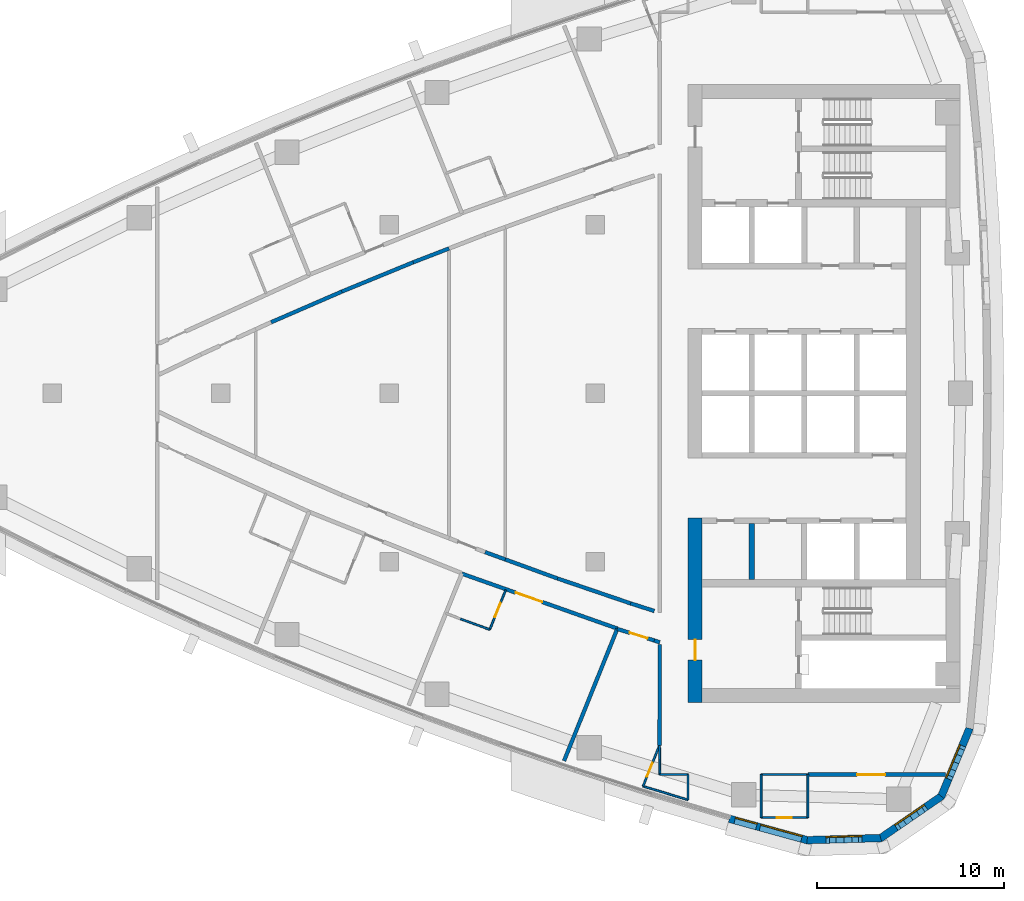
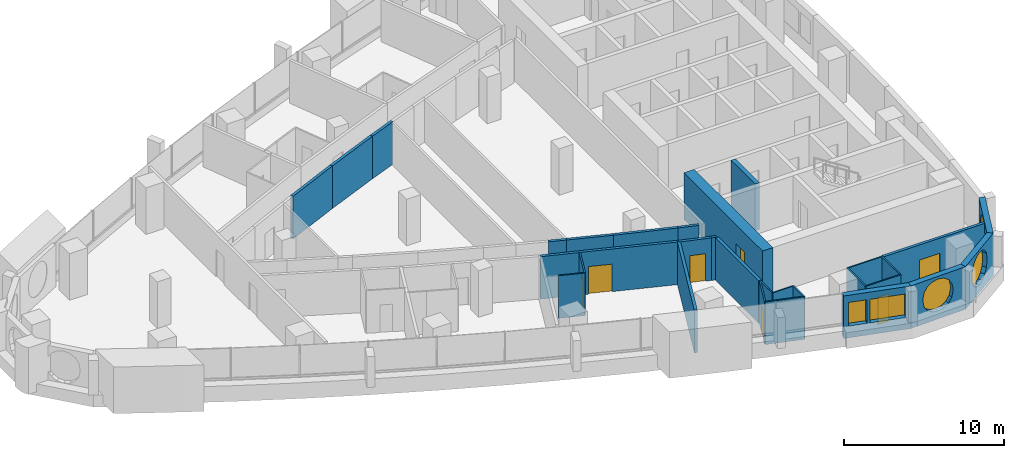
# One storey, part 10 of 17: 30 walls, 7 doors, 5 windows, 12 openings.
"""IFC4 building model written with IfcOpenShell, lengths in metres."""

from ifc_helpers import new_model, si_unit, direction, frame, frame_2d, origin, place, context, subcontext, project, spatial, polyline, rectangle, outline, extrude, material, layer, layer_set, type_object, element, fill, save


model = new_model("IFC4")

# Units and contexts
model_context = context("Model", 3, precision=1e-05, world=origin(), true_north=direction((0.0, 1.0)))
body_context = subcontext(model_context, "Body", "Model", "MODEL_VIEW")
ifc_project = project(units=[si_unit("LENGTHUNIT", "METRE"), si_unit("AREAUNIT", "SQUARE_METRE"), si_unit("VOLUMEUNIT", "CUBIC_METRE"), si_unit("PLANEANGLEUNIT", "RADIAN"), si_unit("MASSUNIT", "GRAM", prefix="KILO")], contexts=[model_context])

# Site, building, storey
site_placement = place(None, origin())
site = spatial("IfcSite", under=ifc_project, at=site_placement, CompositionType="ELEMENT")
building_placement = place(site_placement, origin())
building = spatial("IfcBuilding", under=site, at=building_placement, Name="Ostrand Prow Hotel Tower", CompositionType="ELEMENT")
storey_placement = place(building_placement, frame((0.0, 0.0, 196.800048828125)))
storey = spatial("IfcBuildingStorey", under=building, at=storey_placement, Name="L49", CompositionType="ELEMENT", Elevation=196.800048828125)

# Wall
ifc_material_1 = material(Name="Concrete C60/75", Category="concrete")
ifc_layer_1 = layer(ifc_material_1, 0.300048828125)
ifc_layer_set_1 = layer_set([ifc_layer_1], Name="Concrete C60/75")
wall_type_1 = type_object("IfcWallType", Name="Core wall 300 C60/75", PredefinedType="SHEAR", material=ifc_layer_set_1)
wall_1_placement = place(storey_placement, frame((53.35009765625, -9.949951171875, 0.0), z_axis=(0.0, 0.0, 1.0), x_axis=(0.0, 1.0, 0.0)))
element("IfcWall", 1, at=wall_1_placement, inside=storey, type_object=wall_type_1, Name="Core wall PW-R1-SA", PredefinedType="SHEAR", context=body_context, shape_type="SweptSolid", body=[
    extrude(rectangle(XDim=3.0, YDim=0.300048828125, at=frame_2d((1.5, 0.0))), origin(), (0.0, 0.0, 1.0), 3.550048828125),
])

# Wall, opening, door
ifc_material_2 = material(Name="Concrete C60/75", Category="concrete")
ifc_layer_2 = layer(ifc_material_2, 0.75)
ifc_layer_set_2 = layer_set([ifc_layer_2], Name="Concrete C60/75")
wall_type_2 = type_object("IfcWallType", Name="Core wall 750 C60/75", PredefinedType="SHEAR", material=ifc_layer_set_2)
wall_2_placement = place(storey_placement, frame((50.324951171875, -16.5, 0.0), z_axis=(0.0, 0.0, 1.0), x_axis=(0.0, 1.0, 0.0)))
wall_2 = element("IfcWall", 2, at=wall_2_placement, inside=storey, type_object=wall_type_2, Name="Core wall CW-W-S", PredefinedType="SHEAR", context=body_context, shape_type="SweptSolid", body=[
    extrude(rectangle(XDim=9.85009765625, YDim=0.75, at=frame_2d((4.925048828125, 0.0))), origin(), (0.0, 0.0, 1.0), 3.550048828125),
])
opening_1_placement = place(wall_2_placement, frame((2.25, 0.0, 0.0)))
opening_1 = element("IfcOpeningElement", 3, at=opening_1_placement, cuts=wall_2, Name="Opening FD1", PredefinedType="OPENING", context=body_context, shape_type="SweptSolid", body=[
    extrude(rectangle(XDim=1.10009765625, YDim=2.10009765625, at=frame_2d((0.550048828125, 1.050048828125))), frame((0.0, 0.385009765625, 0.0), z_axis=(0.0, -1.0, 0.0), x_axis=(1.0, 0.0, 0.0)), (0.0, 0.0, 1.0), 0.77001953125),
])
ifc_material_3 = material(Name="Steel fire door", Category="steel")
door_type_1 = type_object("IfcDoorType", Name="Fire door 1100 EI120", OperationType="SINGLE_SWING_RIGHT", PredefinedType="DOOR", material=ifc_material_3)
door_1_placement = place(opening_1_placement, origin())
door_1 = element("IfcDoor", 4, at=door_1_placement, inside=storey, type_object=door_type_1, Name="FIRE DOOR", OperationType="SINGLE_SWING_RIGHT", OverallHeight=2.10009765625, OverallWidth=1.10009765625, PredefinedType="DOOR", context=body_context, shape_type="SweptSolid", body=[
    extrude(rectangle(XDim=1.10009765625, YDim=2.10009765625, at=frame_2d((0.550048828125, 1.050048828125))), frame((0.0, 0.02490234375, 0.0), z_axis=(0.0, -1.0, 0.0), x_axis=(1.0, 0.0, 0.0)), (0.0, 0.0, 1.0), 0.050048828125),
])
fill(opening_1, door_1)

ifc_material_4 = material(Name="Plasterboard partition")
ifc_layer_3 = layer(ifc_material_4, 0.10009765625)
ifc_layer_set_3 = layer_set([ifc_layer_3], Name="Plasterboard partition")
wall_type_3 = type_object("IfcWallType", Name="Partition 100 bathroom wall", PredefinedType="PARTITIONING", material=ifc_layer_set_3)
wall_3_placement = place(storey_placement, frame((56.35009765625, -22.64990234375, 0.0), z_axis=(0.0, 0.0, 1.0), x_axis=(-1.0, 0.0, 0.0)))
wall_3 = element("IfcWall", 5, at=wall_3_placement, inside=storey, type_object=wall_type_3, Name="BATHROOM WALL", PredefinedType="PARTITIONING", context=body_context, shape_type="SweptSolid", body=[
    extrude(rectangle(XDim=2.5, YDim=0.10009765625, at=frame_2d((1.25, 0.0))), origin(), (0.0, 0.0, 1.0), 3.25),
])
opening_2_placement = place(wall_3_placement, frame((0.85009765625, 0.0, 0.0)))
opening_2 = element("IfcOpeningElement", 6, at=opening_2_placement, cuts=wall_3, Name="Opening D2", PredefinedType="OPENING", context=body_context, shape_type="SweptSolid", body=[
    extrude(rectangle(XDim=0.800048828125, YDim=2.10009765625, at=frame_2d((0.39990234375, 1.050048828125))), frame((0.0, 0.06005859375, 0.0), z_axis=(0.0, -1.0, 0.0), x_axis=(1.0, 0.0, 0.0)), (0.0, 0.0, 1.0), 0.1201171875),
])
ifc_material_5 = material(Name="Timber door leaf", Category="wood")
door_type_2 = type_object("IfcDoorType", Name="Bathroom door 800", OperationType="SINGLE_SWING_LEFT", PredefinedType="DOOR", material=ifc_material_5)
door_2_placement = place(opening_2_placement, origin())
door_2 = element("IfcDoor", 7, at=door_2_placement, inside=storey, type_object=door_type_2, Name="DOOR", OperationType="SINGLE_SWING_LEFT", OverallHeight=2.10009765625, OverallWidth=0.800048828125, PredefinedType="DOOR", context=body_context, shape_type="SweptSolid", body=[
    extrude(rectangle(XDim=0.800048828125, YDim=2.10009765625, at=frame_2d((0.39990234375, 1.050048828125))), frame((0.0, 0.02490234375, 0.0), z_axis=(0.0, -1.0, 0.0), x_axis=(1.0, 0.0, 0.0)), (0.0, 0.0, 1.0), 0.050048828125),
])
fill(opening_2, door_2)

# Walls
for number, where, z_axis, x_axis, name in (
    (8, (53.85009765625, -22.64990234375, 0.0), (0.0, 0.0, 1.0), (0.0, 1.0, 0.0), "BATHROOM WALL"),
    (9, (56.35009765625, -20.35009765625, 0.0), (0.0, 0.0, 1.0), (0.0, -1.0, 0.0), "BATHROOM WALL"),
):
    element("IfcWall", number, at=place(storey_placement, frame(where, z_axis=z_axis, x_axis=x_axis)), inside=storey, type_object=wall_type_3, Name=name, PredefinedType="PARTITIONING", context=body_context, shape_type="SweptSolid", body=[
        extrude(rectangle(XDim=2.2998046875, YDim=0.10009765625, at=frame_2d((1.14990234375, 0.0))), origin(), (0.0, 0.0, 1.0), 3.25),
    ])

# Wall, opening, door
wall_4_placement = place(storey_placement, frame((40.216064453125, -10.50048828125, 0.0), z_axis=(0.0, 0.0, 1.0), x_axis=(-0.373883593317, -0.927475637765, 0.0)))
wall_4 = element("IfcWall", 10, at=wall_4_placement, inside=storey, type_object=wall_type_3, Name="BATHROOM WALL", PredefinedType="PARTITIONING", context=body_context, shape_type="SweptSolid", body=[
    extrude(rectangle(XDim=2.2783203125, YDim=0.10009765625, at=frame_2d((1.13916015625, 0.0))), origin(), (0.0, 0.0, 1.0), 3.25),
])
opening_3_placement = place(wall_4_placement, frame((0.75, 0.0, 0.0)))
opening_3 = element("IfcOpeningElement", 11, at=opening_3_placement, cuts=wall_4, Name="Opening D2", PredefinedType="OPENING", context=body_context, shape_type="SweptSolid", body=[
    extrude(rectangle(XDim=0.800048828125, YDim=2.10009765625, at=frame_2d((0.39990234375, 1.050048828125))), frame((0.0, 0.06005859375, 0.0), z_axis=(0.0, -1.0, 0.0), x_axis=(1.0, 0.0, 0.0)), (0.0, 0.0, 1.0), 0.1201171875),
])
door_3_placement = place(opening_3_placement, origin())
door_3 = element("IfcDoor", 12, at=door_3_placement, inside=storey, type_object=door_type_2, Name="DOOR", OperationType="SINGLE_SWING_LEFT", OverallHeight=2.10009765625, OverallWidth=0.800048828125, PredefinedType="DOOR", context=body_context, shape_type="SweptSolid", body=[
    extrude(rectangle(XDim=0.800048828125, YDim=2.10009765625, at=frame_2d((0.39990234375, 1.050048828125))), frame((0.0, 0.02490234375, 0.0), z_axis=(0.0, -1.0, 0.0), x_axis=(1.0, 0.0, 0.0)), (0.0, 0.0, 1.0), 0.050048828125),
])
fill(opening_3, door_3)

# Wall
wall_5_placement = place(storey_placement, frame((39.3642578125, -12.613525390625, 0.0), z_axis=(0.0, 0.0, 1.0), x_axis=(-0.939759586286, 0.341836101053, 0.0)))
element("IfcWall", 13, at=wall_5_placement, inside=storey, type_object=wall_type_3, Name="BATHROOM WALL", PredefinedType="PARTITIONING", context=body_context, shape_type="SweptSolid", body=[
    extrude(rectangle(XDim=1.685546875, YDim=0.10009765625, at=frame_2d((0.8427734375, 0.0))), origin(), (0.0, 0.0, 1.0), 3.25),
])

# Wall, opening, door
wall_6_placement = place(storey_placement, frame((47.547119140625, -20.980224609375, 0.0), z_axis=(0.0, 0.0, 1.0), x_axis=(0.373908119057, 0.927465750582, 0.0)))
wall_6 = element("IfcWall", 14, at=wall_6_placement, inside=storey, type_object=wall_type_3, Name="BATHROOM WALL", PredefinedType="PARTITIONING", context=body_context, shape_type="SweptSolid", body=[
    extrude(rectangle(XDim=2.30615234375, YDim=0.10009765625, at=frame_2d((1.153076171875, 0.0))), origin(), (0.0, 0.0, 1.0), 3.25),
])
opening_4_placement = place(wall_6_placement, frame((0.550048828125, 0.0, 0.0)))
opening_4 = element("IfcOpeningElement", 15, at=opening_4_placement, cuts=wall_6, Name="Opening D2", PredefinedType="OPENING", context=body_context, shape_type="SweptSolid", body=[
    extrude(rectangle(XDim=0.800048828125, YDim=2.10009765625, at=frame_2d((0.39990234375, 1.050048828125))), frame((0.0, 0.06005859375, 0.0), z_axis=(0.0, -1.0, 0.0), x_axis=(1.0, 0.0, 0.0)), (0.0, 0.0, 1.0), 0.1201171875),
])
door_4_placement = place(opening_4_placement, origin())
door_4 = element("IfcDoor", 16, at=door_4_placement, inside=storey, type_object=door_type_2, Name="DOOR", OperationType="SINGLE_SWING_LEFT", OverallHeight=2.10009765625, OverallWidth=0.800048828125, PredefinedType="DOOR", context=body_context, shape_type="SweptSolid", body=[
    extrude(rectangle(XDim=0.800048828125, YDim=2.10009765625, at=frame_2d((0.39990234375, 1.050048828125))), frame((0.0, 0.02490234375, 0.0), z_axis=(0.0, -1.0, 0.0), x_axis=(1.0, 0.0, 0.0)), (0.0, 0.0, 1.0), 0.050048828125),
])
fill(opening_4, door_4)

# Walls
wall_7_placement = place(storey_placement, frame((53.85009765625, -20.35498046875, 0.0), z_axis=(0.0, 0.0, 1.0), x_axis=(1.0, 0.0, 0.0)))
element("IfcWall", 17, at=wall_7_placement, inside=storey, type_object=wall_type_3, Name="BATHROOM WALL", PredefinedType="PARTITIONING", context=body_context, shape_type="SweptSolid", body=[
    extrude(rectangle(XDim=2.5, YDim=0.10009765625, at=frame_2d((1.25, 0.0))), origin(), (0.0, 0.0, 1.0), 3.25),
])
wall_8_placement = place(storey_placement, frame((48.428955078125, -18.81591796875, 0.0), z_axis=(0.0, 0.0, 1.0), x_axis=(0.010805026288, -0.999941624, 0.0)))
element("IfcWall", 18, at=wall_8_placement, inside=storey, type_object=wall_type_3, Name="BATHROOM WALL", PredefinedType="PARTITIONING", context=body_context, shape_type="SweptSolid", body=[
    extrude(rectangle(XDim=1.536376953125, YDim=0.10009765625, at=frame_2d((0.76806640625, 0.0))), origin(), (0.0, 0.0, 1.0), 3.25),
])
wall_9_placement = place(storey_placement, frame((48.445556640625, -20.352294921875, 0.0), z_axis=(0.0, 0.0, 1.0), x_axis=(0.999998406651, -0.001785131852, 0.0)))
element("IfcWall", 19, at=wall_9_placement, inside=storey, type_object=wall_type_3, Name="BATHROOM WALL", PredefinedType="PARTITIONING", context=body_context, shape_type="SweptSolid", body=[
    extrude(rectangle(XDim=1.50439453125, YDim=0.10009765625, at=frame_2d((0.752197265625, 0.0))), origin(), (0.0, 0.0, 1.0), 3.25),
])
wall_10_placement = place(storey_placement, frame((49.949951171875, -20.35498046875, 0.0), z_axis=(0.0, 0.0, 1.0), x_axis=(0.0, -1.0, 0.0)))
element("IfcWall", 20, at=wall_10_placement, inside=storey, type_object=wall_type_3, Name="BATHROOM WALL", PredefinedType="PARTITIONING", context=body_context, shape_type="SweptSolid", body=[
    extrude(rectangle(XDim=1.351318359375, YDim=0.10009765625, at=frame_2d((0.67578125, 0.0))), origin(), (0.0, 0.0, 1.0), 3.25),
])
wall_11_placement = place(storey_placement, frame((49.949951171875, -21.706298828125, 0.0), z_axis=(0.0, 0.0, 1.0), x_axis=(-0.957251518155, 0.289256859885, 0.0)))
element("IfcWall", 21, at=wall_11_placement, inside=storey, type_object=wall_type_3, Name="BATHROOM WALL", PredefinedType="PARTITIONING", context=body_context, shape_type="SweptSolid", body=[
    extrude(rectangle(XDim=2.51025390625, YDim=0.10009765625, at=frame_2d((1.255126953125, 0.0))), origin(), (0.0, 0.0, 1.0), 3.25),
])

# Wall, opening, door
ifc_material_6 = material(Name="Plasterboard partition")
ifc_layer_4 = layer(ifc_material_6, 0.199951171875)
ifc_layer_set_4 = layer_set([ifc_layer_4], Name="Plasterboard partition")
wall_type_4 = type_object("IfcWallType", Name="Partition 200 corridor wall", PredefinedType="PARTITIONING", material=ifc_layer_set_4)
wall_12_placement = place(storey_placement, frame((37.872314453125, -9.62841796875, 0.0), z_axis=(0.0, 0.0, 1.0), x_axis=(0.9429299378, -0.332991189675, 0.0)))
wall_12 = element("IfcWall", 22, at=wall_12_placement, inside=storey, type_object=wall_type_4, Name="CORRIDOR WALL", PredefinedType="PARTITIONING", context=body_context, shape_type="SweptSolid", body=[
    extrude(rectangle(XDim=8.808349609375, YDim=0.199951171875, at=frame_2d((4.404296875, 0.0))), origin(), (0.0, 0.0, 1.0), 3.25),
])
opening_5_placement = place(wall_12_placement, frame((3.050048828125, 0.0, 0.0)))
opening_5 = element("IfcOpeningElement", 23, at=opening_5_placement, cuts=wall_12, Name="Opening D15", PredefinedType="OPENING", context=body_context, shape_type="SweptSolid", body=[
    extrude(rectangle(XDim=1.5, YDim=2.10009765625, at=frame_2d((0.75, 1.050048828125))), frame((0.0, 0.10986328125, 0.0), z_axis=(0.0, -1.0, 0.0), x_axis=(1.0, 0.0, 0.0)), (0.0, 0.0, 1.0), 0.219970703125),
])
ifc_material_7 = material(Name="Timber door leaf", Category="wood")
door_type_3 = type_object("IfcDoorType", Name="Double door 1500", OperationType="DOUBLE_DOOR_SINGLE_SWING", PredefinedType="DOOR", material=ifc_material_7)
door_5_placement = place(opening_5_placement, origin())
door_5 = element("IfcDoor", 24, at=door_5_placement, inside=storey, type_object=door_type_3, Name="DOOR", OperationType="DOUBLE_DOOR_SINGLE_SWING", OverallHeight=2.10009765625, OverallWidth=1.5, PredefinedType="DOOR", context=body_context, shape_type="SweptSolid", body=[
    extrude(rectangle(XDim=1.5, YDim=2.10009765625, at=frame_2d((0.75, 1.050048828125))), frame((0.0, 0.02490234375, 0.0), z_axis=(0.0, -1.0, 0.0), x_axis=(1.0, 0.0, 0.0)), (0.0, 0.0, 1.0), 0.050048828125),
])
fill(opening_5, door_5)

# Walls
wall_13_placement = place(storey_placement, frame((35.275634765625, 6.994384765625, 0.0), z_axis=(0.0, 0.0, 1.0), x_axis=(0.932688150298, 0.360683814848, 0.0)))
element("IfcWall", 25, at=wall_13_placement, inside=storey, type_object=wall_type_4, Name="CORRIDOR WALL", PredefinedType="PARTITIONING", context=body_context, shape_type="SweptSolid", body=[
    extrude(rectangle(XDim=2.052978515625, YDim=0.199951171875, at=frame_2d((1.0263671875, 0.0))), origin(), (0.0, 0.0, 1.0), 3.25),
])
for number, where, z_axis, x_axis, name in (
    (26, (27.689697265625, 3.79345703125, 0.0), (0.0, 0.0, 1.0), (0.917375244839, 0.398023441717, 0.0), "CORRIDOR WALL"),
    (27, (31.466552734375, 5.43212890625, 0.0), (0.0, 0.0, 1.0), (0.92520652337, 0.379463949689, 0.0), "CORRIDOR WALL"),
):
    element("IfcWall", number, at=place(storey_placement, frame(where, z_axis=z_axis, x_axis=x_axis)), inside=storey, type_object=wall_type_4, Name=name, PredefinedType="PARTITIONING", context=body_context, shape_type="SweptSolid", body=[
        extrude(rectangle(XDim=4.116943359375, YDim=0.199951171875, at=frame_2d((2.05859375, 0.0))), origin(), (0.0, 0.0, 1.0), 3.25),
    ])
wall_14_placement = place(storey_placement, frame((40.1904296875, -8.87060546875, 0.0), z_axis=(0.0, 0.0, 1.0), x_axis=(-0.939731092615, 0.34191442434, 0.0)))
element("IfcWall", 28, at=wall_14_placement, inside=storey, type_object=wall_type_4, Name="CORRIDOR WALL", PredefinedType="PARTITIONING", context=body_context, shape_type="SweptSolid", body=[
    extrude(rectangle(XDim=1.143798828125, YDim=0.199951171875, at=frame_2d((0.57177734375, 0.0))), origin(), (0.0, 0.0, 1.0), 3.25),
])
wall_15_placement = place(storey_placement, frame((46.880859375, -11.216552734375, 0.0), z_axis=(0.0, 0.0, 1.0), x_axis=(-0.946436071896, 0.322891253852, 0.0)))
element("IfcWall", 29, at=wall_15_placement, inside=storey, type_object=wall_type_4, Name="CORRIDOR WALL", PredefinedType="PARTITIONING", context=body_context, shape_type="SweptSolid", body=[
    extrude(rectangle(XDim=4.116943359375, YDim=0.199951171875, at=frame_2d((2.05859375, 0.0))), origin(), (0.0, 0.0, 1.0), 3.25),
])
wall_16_placement = place(storey_placement, frame((42.984375, -9.88720703125, 0.0), z_axis=(0.0, 0.0, 1.0), x_axis=(-0.939726274687, 0.341927665833, 0.0)))
element("IfcWall", 30, at=wall_16_placement, inside=storey, type_object=wall_type_4, Name="CORRIDOR WALL", PredefinedType="PARTITIONING", context=body_context, shape_type="SweptSolid", body=[
    extrude(rectangle(XDim=2.97314453125, YDim=0.199951171875, at=frame_2d((1.486572265625, 0.0))), origin(), (0.0, 0.0, 1.0), 3.25),
])

# Wall, opening, door
wall_17_placement = place(storey_placement, frame((56.35498046875, -20.35498046875, 0.0), z_axis=(0.0, 0.0, 1.0), x_axis=(1.0, 0.0, 0.0)))
wall_17 = element("IfcWall", 31, at=wall_17_placement, inside=storey, type_object=wall_type_4, Name="CORRIDOR WALL", PredefinedType="PARTITIONING", context=body_context, shape_type="SweptSolid", body=[
    extrude(rectangle(XDim=7.3544921875, YDim=0.199951171875, at=frame_2d((3.67724609375, 0.0))), origin(), (0.0, 0.0, 1.0), 3.25),
])
opening_6_placement = place(wall_17_placement, frame((2.623779296875, 0.0, 0.0)))
opening_6 = element("IfcOpeningElement", 32, at=opening_6_placement, cuts=wall_17, Name="Opening D15", PredefinedType="OPENING", context=body_context, shape_type="SweptSolid", body=[
    extrude(rectangle(XDim=1.5, YDim=2.10009765625, at=frame_2d((0.75, 1.050048828125))), frame((0.0, 0.10986328125, 0.0), z_axis=(0.0, -1.0, 0.0), x_axis=(1.0, 0.0, 0.0)), (0.0, 0.0, 1.0), 0.219970703125),
])
door_6_placement = place(opening_6_placement, origin())
door_6 = element("IfcDoor", 33, at=door_6_placement, inside=storey, type_object=door_type_3, Name="DOOR", OperationType="DOUBLE_DOOR_SINGLE_SWING", OverallHeight=2.10009765625, OverallWidth=1.5, PredefinedType="DOOR", context=body_context, shape_type="SweptSolid", body=[
    extrude(rectangle(XDim=1.5, YDim=2.10009765625, at=frame_2d((0.75, 1.050048828125))), frame((0.0, 0.02490234375, 0.0), z_axis=(0.0, -1.0, 0.0), x_axis=(1.0, 0.0, 0.0)), (0.0, 0.0, 1.0), 0.050048828125),
])
fill(opening_6, door_6)

wall_18_placement = place(storey_placement, frame((46.17041015625, -12.580078125, 0.0), z_axis=(0.0, 0.0, 1.0), x_axis=(0.954639063921, -0.297765440634, 0.0)))
wall_18 = element("IfcWall", 34, at=wall_18_placement, inside=storey, type_object=wall_type_4, Name="CORRIDOR WALL", PredefinedType="PARTITIONING", context=body_context, shape_type="SweptSolid", body=[
    extrude(rectangle(XDim=2.073486328125, YDim=0.199951171875, at=frame_2d((1.03662109375, 0.0))), origin(), (0.0, 0.0, 1.0), 3.25),
])
opening_7_placement = place(wall_18_placement, frame((0.699951171875, 0.0, 0.0)))
opening_7 = element("IfcOpeningElement", 35, at=opening_7_placement, cuts=wall_18, Name="Opening D1R", PredefinedType="OPENING", context=body_context, shape_type="SweptSolid", body=[
    extrude(rectangle(XDim=1.0, YDim=2.10009765625, at=frame_2d((0.5, 1.050048828125))), frame((0.0, 0.10986328125, 0.0), z_axis=(0.0, -1.0, 0.0), x_axis=(1.0, 0.0, 0.0)), (0.0, 0.0, 1.0), 0.219970703125),
])
ifc_material_8 = material(Name="Timber door leaf", Category="wood")
door_type_4 = type_object("IfcDoorType", Name="Guest room door 1000 right", OperationType="SINGLE_SWING_RIGHT", PredefinedType="DOOR", material=ifc_material_8)
door_7_placement = place(opening_7_placement, origin())
door_7 = element("IfcDoor", 36, at=door_7_placement, inside=storey, type_object=door_type_4, Name="DOOR", OperationType="SINGLE_SWING_RIGHT", OverallHeight=2.10009765625, OverallWidth=1.0, PredefinedType="DOOR", context=body_context, shape_type="SweptSolid", body=[
    extrude(rectangle(XDim=1.0, YDim=2.10009765625, at=frame_2d((0.5, 1.050048828125))), frame((0.0, 0.02490234375, 0.0), z_axis=(0.0, -1.0, 0.0), x_axis=(1.0, 0.0, 0.0)), (0.0, 0.0, 1.0), 0.050048828125),
])
fill(opening_7, door_7)

# Walls
wall_19_placement = place(storey_placement, frame((48.14990234375, -11.62109375, 0.0), z_axis=(0.0, 0.0, 1.0), x_axis=(-0.952761948983, 0.303718074157, 0.0)))
element("IfcWall", 37, at=wall_19_placement, inside=storey, type_object=wall_type_4, Name="CORRIDOR WALL", PredefinedType="PARTITIONING", context=body_context, shape_type="SweptSolid", body=[
    extrude(rectangle(XDim=1.33203125, YDim=0.199951171875, at=frame_2d((0.666015625, 0.0))), origin(), (0.0, 0.0, 1.0), 3.25),
])
wall_20_placement = place(storey_placement, frame((48.14990234375, -13.197509765625, 0.0), z_axis=(0.0, 0.0, 1.0), x_axis=(0.949621636458, -0.313398703843, 0.0)))
element("IfcWall", 38, at=wall_20_placement, inside=storey, type_object=wall_type_4, Name="CORRIDOR WALL", PredefinedType="PARTITIONING", context=body_context, shape_type="SweptSolid", body=[
    extrude(rectangle(XDim=0.310791015625, YDim=0.199951171875, at=frame_2d((0.1552734375, 0.0))), origin(), (0.0, 0.0, 1.0), 3.25),
])
wall_21_placement = place(storey_placement, frame((48.44482421875, -13.414794921875, 0.0), z_axis=(0.0, 0.0, 1.0), x_axis=(-0.002938106018, -0.999995683757, 0.0)))
element("IfcWall", 39, at=wall_21_placement, inside=storey, type_object=wall_type_4, Name="CORRIDOR WALL", PredefinedType="PARTITIONING", context=body_context, shape_type="SweptSolid", body=[
    extrude(rectangle(XDim=5.401123046875, YDim=0.199951171875, at=frame_2d((2.70068359375, 0.0))), origin(), (0.0, 0.0, 1.0), 3.25),
])
ifc_material_9 = material(Name="Plasterboard partition")
ifc_layer_5 = layer(ifc_material_9, 0.199951171875)
ifc_layer_set_5 = layer_set([ifc_layer_5], Name="Plasterboard partition")
wall_type_5 = type_object("IfcWallType", Name="Partition 200 key partition", PredefinedType="PARTITIONING", material=ifc_layer_set_5)
wall_22_placement = place(storey_placement, frame((43.33203125, -19.620849609375, 0.0), z_axis=(0.0, 0.0, 1.0), x_axis=(0.373905590149, 0.927466770108, 0.0)))
element("IfcWall", 40, at=wall_22_placement, inside=storey, type_object=wall_type_5, Name="KEY PARTITION", PredefinedType="PARTITIONING", context=body_context, shape_type="SweptSolid", body=[
    extrude(rectangle(XDim=7.611328125, YDim=0.199951171875, at=frame_2d((3.8056640625, 0.0))), origin(), (0.0, 0.0, 1.0), 3.25),
])

# Wall, openings, windows
ifc_material_10 = material(Name="Precast concrete C40/50", Category="concrete")
ifc_layer_6 = layer(ifc_material_10, 0.39990234375)
ifc_layer_set_6 = layer_set([ifc_layer_6], Name="Precast concrete C40/50")
wall_type_6 = type_object("IfcWallType", Name="Stone-faced precast wall 400 mm", PredefinedType="NOTDEFINED", material=ifc_layer_set_6)
wall_23_placement = place(storey_placement, frame((52.15478515625, -22.7158203125, 0.0), z_axis=(0.0, 0.0, 1.0), x_axis=(0.964205755089, -0.265155165617, 0.0)))
wall_23 = element("IfcWall", 41, at=wall_23_placement, inside=storey, type_object=wall_type_6, Name="Stone-faced wall back 1", PredefinedType="NOTDEFINED", context=body_context, shape_type="SweptSolid", body=[
    extrude(outline(polyline([(0.0, -0.199951171875), (4.3369140625, -0.199951171875), (4.27734375, 0.199951171875), (0.0, 0.199951171875), (0.0, -0.199951171875)])), origin(), (0.0, 0.0, 1.0), 3.25),
])
opening_8_placement = place(wall_23_placement, frame((0.303466796875, 0.0, 0.89990234375)))
opening_8 = element("IfcOpeningElement", 42, at=opening_8_placement, cuts=wall_23, Name="Opening WS4", PredefinedType="OPENING", context=body_context, shape_type="SweptSolid", body=[
    extrude(rectangle(XDim=1.199951171875, YDim=1.800048828125, at=frame_2d((0.60009765625, 0.89990234375))), frame((0.0, 0.2099609375, 0.0), z_axis=(0.0, -1.0, 0.0), x_axis=(1.0, 0.0, 0.0)), (0.0, 0.0, 1.0), 0.419921875),
])
opening_9_placement = place(wall_23_placement, frame((1.70361328125, 0.0, 0.89990234375)))
opening_9 = element("IfcOpeningElement", 43, at=opening_9_placement, cuts=wall_23, Name="Opening WS5-23", PredefinedType="OPENING", context=body_context, shape_type="SweptSolid", body=[
    extrude(rectangle(XDim=2.300048828125, YDim=1.800048828125, at=frame_2d((1.14990234375, 0.89990234375))), frame((0.0, 0.2099609375, 0.0), z_axis=(0.0, -1.0, 0.0), x_axis=(1.0, 0.0, 0.0)), (0.0, 0.0, 1.0), 0.419921875),
])
ifc_material_11 = material(Name="Insulated glass in bronze frame", Category="glass")
window_type_1 = type_object("IfcWindowType", Name="Fixed strip window 2300x1800", PartitioningType="SINGLE_PANEL", PredefinedType="WINDOW", material=ifc_material_11)
window_1_placement = place(opening_9_placement, origin())
window_1 = element("IfcWindow", 44, at=window_1_placement, inside=storey, type_object=window_type_1, Name="Window back 1.2", OverallHeight=1.800048828125, OverallWidth=2.300048828125, PartitioningType="SINGLE_PANEL", PredefinedType="WINDOW", context=body_context, shape_type="SweptSolid", body=[
    extrude(rectangle(XDim=2.300048828125, YDim=1.800048828125, at=frame_2d((1.14990234375, 0.89990234375))), frame((0.0, 0.169921875, 0.0), z_axis=(0.0, -1.0, 0.0), x_axis=(1.0, 0.0, 0.0)), (0.0, 0.0, 1.0), 0.06005859375),
])
fill(opening_9, window_1)
ifc_material_12 = material(Name="Insulated glass in bronze frame", Category="glass")
window_type_2 = type_object("IfcWindowType", Name="Operable strip panel 1200x1800", PartitioningType="SINGLE_PANEL", PredefinedType="WINDOW", material=ifc_material_12)
window_2_placement = place(opening_8_placement, origin())
window_2 = element("IfcWindow", 45, at=window_2_placement, inside=storey, type_object=window_type_2, Name="Window back 1.1", OverallHeight=1.800048828125, OverallWidth=1.199951171875, PartitioningType="SINGLE_PANEL", PredefinedType="WINDOW", context=body_context, shape_type="SweptSolid", body=[
    extrude(rectangle(XDim=1.199951171875, YDim=1.800048828125, at=frame_2d((0.60009765625, 0.89990234375))), frame((0.0, 0.169921875, 0.0), z_axis=(0.0, -1.0, 0.0), x_axis=(1.0, 0.0, 0.0)), (0.0, 0.0, 1.0), 0.06005859375),
])
fill(opening_8, window_2)

# Wall, opening, window
wall_24_placement = place(storey_placement, frame((56.307861328125, -23.85791015625, 0.0), z_axis=(0.0, 0.0, 1.0), x_axis=(0.999587920197, 0.028705222472, 0.0)))
wall_24 = element("IfcWall", 46, at=wall_24_placement, inside=storey, type_object=wall_type_6, Name="Stone-faced wall back 2", PredefinedType="NOTDEFINED", context=body_context, shape_type="SweptSolid", body=[
    extrude(outline(polyline([(-0.02978515625, -0.199951171875), (3.988525390625, -0.199951171875), (3.870361328125, 0.199951171875), (0.02978515625, 0.199951171875), (-0.02978515625, -0.199951171875)])), origin(), (0.0, 0.0, 1.0), 3.25),
])
opening_10_placement = place(wall_24_placement, frame((0.864501953125, 0.0, 0.60009765625)))
opening_10 = element("IfcOpeningElement", 47, at=opening_10_placement, cuts=wall_24, Name="Opening WP1", PredefinedType="OPENING", context=body_context, shape_type="SweptSolid", body=[
    extrude(outline(polyline([(0.0, 1.35009765625), (0.083740234375, 1.77099609375), (0.322265625, 2.127685546875), (0.678955078125, 2.3662109375), (1.10009765625, 2.449951171875), (1.52099609375, 2.3662109375), (1.877685546875, 2.127685546875), (2.1162109375, 1.77099609375), (2.199951171875, 1.35009765625), (2.199951171875, 1.10009765625), (2.1162109375, 0.678955078125), (1.877685546875, 0.322265625), (1.52099609375, 0.083740234375), (1.10009765625, 0.0), (0.678955078125, 0.083740234375), (0.322265625, 0.322265625), (0.083740234375, 0.678955078125), (0.0, 1.099853515625), (0.0, 1.35009765625)])), frame((0.0, 0.2099609375, 0.0), z_axis=(0.0, -1.0, 0.0), x_axis=(1.0, 0.0, 0.0)), (0.0, 0.0, 1.0), 0.419921875),
])
ifc_material_13 = material(Name="Insulated glass in bronze frame", Category="glass")
window_type_3 = type_object("IfcWindowType", Name="Round-ended prow window 2200x2450", PartitioningType="SINGLE_PANEL", PredefinedType="WINDOW", material=ifc_material_13)
window_3_placement = place(opening_10_placement, origin())
window_3 = element("IfcWindow", 48, at=window_3_placement, inside=storey, type_object=window_type_3, Name="Window back 2.1", OverallHeight=2.449951171875, OverallWidth=2.199951171875, PartitioningType="SINGLE_PANEL", PredefinedType="WINDOW", context=body_context, shape_type="SweptSolid", body=[
    extrude(outline(polyline([(0.0, 1.35009765625), (0.083740234375, 1.77099609375), (0.322265625, 2.127685546875), (0.678955078125, 2.3662109375), (1.10009765625, 2.449951171875), (1.52099609375, 2.3662109375), (1.877685546875, 2.127685546875), (2.1162109375, 1.77099609375), (2.199951171875, 1.35009765625), (2.199951171875, 1.10009765625), (2.1162109375, 0.678955078125), (1.877685546875, 0.322265625), (1.52099609375, 0.083740234375), (1.10009765625, 0.0), (0.678955078125, 0.083740234375), (0.322265625, 0.322265625), (0.083740234375, 0.678955078125), (0.0, 1.099853515625), (0.0, 1.35009765625)])), frame((0.0, 0.169921875, 0.0), z_axis=(0.0, -1.0, 0.0), x_axis=(1.0, 0.0, 0.0)), (0.0, 0.0, 1.0), 0.06005859375),
])
fill(opening_10, window_3)

wall_25_placement = place(storey_placement, frame((60.235595703125, -23.7451171875, 0.0), z_axis=(0.0, 0.0, 1.0), x_axis=(0.823806162588, 0.566871596115, 0.0)))
wall_25 = element("IfcWall", 49, at=wall_25_placement, inside=storey, type_object=wall_type_6, Name="Stone-faced wall back 3", PredefinedType="NOTDEFINED", context=body_context, shape_type="SweptSolid", body=[
    extrude(outline(polyline([(-0.05908203125, -0.199951171875), (3.98828125, -0.199951171875), (3.8701171875, 0.199951171875), (0.05908203125, 0.199951171875), (-0.05908203125, -0.199951171875)])), origin(), (0.0, 0.0, 1.0), 3.25),
])
opening_11_placement = place(wall_25_placement, frame((0.864501953125, 0.0, 0.60009765625)))
opening_11 = element("IfcOpeningElement", 50, at=opening_11_placement, cuts=wall_25, Name="Opening WP1", PredefinedType="OPENING", context=body_context, shape_type="SweptSolid", body=[
    extrude(outline(polyline([(0.0, 1.35009765625), (0.083740234375, 1.77099609375), (0.322265625, 2.127685546875), (0.678955078125, 2.3662109375), (1.10009765625, 2.449951171875), (1.52099609375, 2.3662109375), (1.877685546875, 2.127685546875), (2.1162109375, 1.77099609375), (2.199951171875, 1.35009765625), (2.199951171875, 1.10009765625), (2.1162109375, 0.678955078125), (1.877685546875, 0.322265625), (1.52099609375, 0.083740234375), (1.10009765625, 0.0), (0.678955078125, 0.083740234375), (0.322265625, 0.322265625), (0.083740234375, 0.678955078125), (0.0, 1.099853515625), (0.0, 1.35009765625)])), frame((0.0, 0.2099609375, 0.0), z_axis=(0.0, -1.0, 0.0), x_axis=(1.0, 0.0, 0.0)), (0.0, 0.0, 1.0), 0.419921875),
])
window_4_placement = place(opening_11_placement, origin())
window_4 = element("IfcWindow", 51, at=window_4_placement, inside=storey, type_object=window_type_3, Name="Window back 3.1", OverallHeight=2.449951171875, OverallWidth=2.199951171875, PartitioningType="SINGLE_PANEL", PredefinedType="WINDOW", context=body_context, shape_type="SweptSolid", body=[
    extrude(outline(polyline([(0.0, 1.35009765625), (0.083740234375, 1.77099609375), (0.322265625, 2.127685546875), (0.678955078125, 2.3662109375), (1.10009765625, 2.449951171875), (1.52099609375, 2.3662109375), (1.877685546875, 2.127685546875), (2.1162109375, 1.77099609375), (2.199951171875, 1.35009765625), (2.199951171875, 1.10009765625), (2.1162109375, 0.678955078125), (1.877685546875, 0.322265625), (1.52099609375, 0.083740234375), (1.10009765625, 0.0), (0.678955078125, 0.083740234375), (0.322265625, 0.322265625), (0.083740234375, 0.678955078125), (0.0, 1.099853515625), (0.0, 1.35009765625)])), frame((0.0, 0.169921875, 0.0), z_axis=(0.0, -1.0, 0.0), x_axis=(1.0, 0.0, 0.0)), (0.0, 0.0, 1.0), 0.06005859375),
])
fill(opening_11, window_4)

wall_26_placement = place(storey_placement, frame((63.472412109375, -21.517822265625, 0.0), z_axis=(0.0, 0.0, 1.0), x_axis=(0.383997619794, 0.923334082547, 0.0)))
wall_26 = element("IfcWall", 52, at=wall_26_placement, inside=storey, type_object=wall_type_6, Name="Stone-faced wall back 4", PredefinedType="NOTDEFINED", context=body_context, shape_type="SweptSolid", body=[
    extrude(outline(polyline([(-0.05908203125, -0.199951171875), (3.95947265625, -0.199951171875), (3.89892578125, 0.199951171875), (0.05908203125, 0.199951171875), (-0.05908203125, -0.199951171875)])), origin(), (0.0, 0.0, 1.0), 3.25),
])
opening_12_placement = place(wall_26_placement, frame((0.864501953125, 0.0, 0.60009765625)))
opening_12 = element("IfcOpeningElement", 53, at=opening_12_placement, cuts=wall_26, Name="Opening WP1", PredefinedType="OPENING", context=body_context, shape_type="SweptSolid", body=[
    extrude(outline(polyline([(0.0, 1.35009765625), (0.083740234375, 1.77099609375), (0.322265625, 2.127685546875), (0.678955078125, 2.3662109375), (1.10009765625, 2.449951171875), (1.52099609375, 2.3662109375), (1.877685546875, 2.127685546875), (2.1162109375, 1.77099609375), (2.199951171875, 1.35009765625), (2.199951171875, 1.10009765625), (2.1162109375, 0.678955078125), (1.877685546875, 0.322265625), (1.52099609375, 0.083740234375), (1.10009765625, 0.0), (0.678955078125, 0.083740234375), (0.322265625, 0.322265625), (0.083740234375, 0.678955078125), (0.0, 1.099853515625), (0.0, 1.35009765625)])), frame((0.0, 0.2099609375, 0.0), z_axis=(0.0, -1.0, 0.0), x_axis=(1.0, 0.0, 0.0)), (0.0, 0.0, 1.0), 0.419921875),
])
window_5_placement = place(opening_12_placement, origin())
window_5 = element("IfcWindow", 54, at=window_5_placement, inside=storey, type_object=window_type_3, Name="Window back 4.1", OverallHeight=2.449951171875, OverallWidth=2.199951171875, PartitioningType="SINGLE_PANEL", PredefinedType="WINDOW", context=body_context, shape_type="SweptSolid", body=[
    extrude(outline(polyline([(0.0, 1.35009765625), (0.083740234375, 1.77099609375), (0.322265625, 2.127685546875), (0.678955078125, 2.3662109375), (1.10009765625, 2.449951171875), (1.52099609375, 2.3662109375), (1.877685546875, 2.127685546875), (2.1162109375, 1.77099609375), (2.199951171875, 1.35009765625), (2.199951171875, 1.10009765625), (2.1162109375, 0.678955078125), (1.877685546875, 0.322265625), (1.52099609375, 0.083740234375), (1.10009765625, 0.0), (0.678955078125, 0.083740234375), (0.322265625, 0.322265625), (0.083740234375, 0.678955078125), (0.0, 1.099853515625), (0.0, 1.35009765625)])), frame((0.0, 0.169921875, 0.0), z_axis=(0.0, -1.0, 0.0), x_axis=(1.0, 0.0, 0.0)), (0.0, 0.0, 1.0), 0.06005859375),
])
fill(opening_12, window_5)

save(model, "model.ifc")
